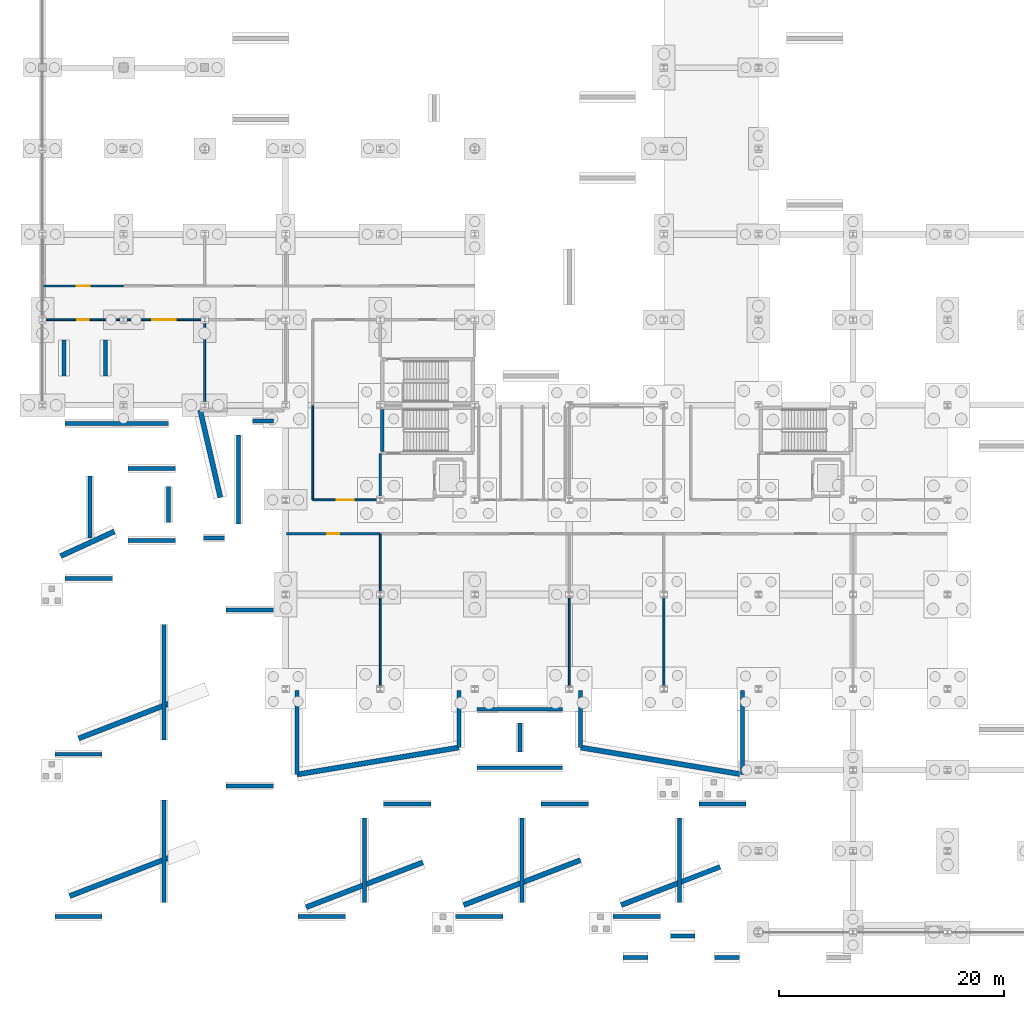
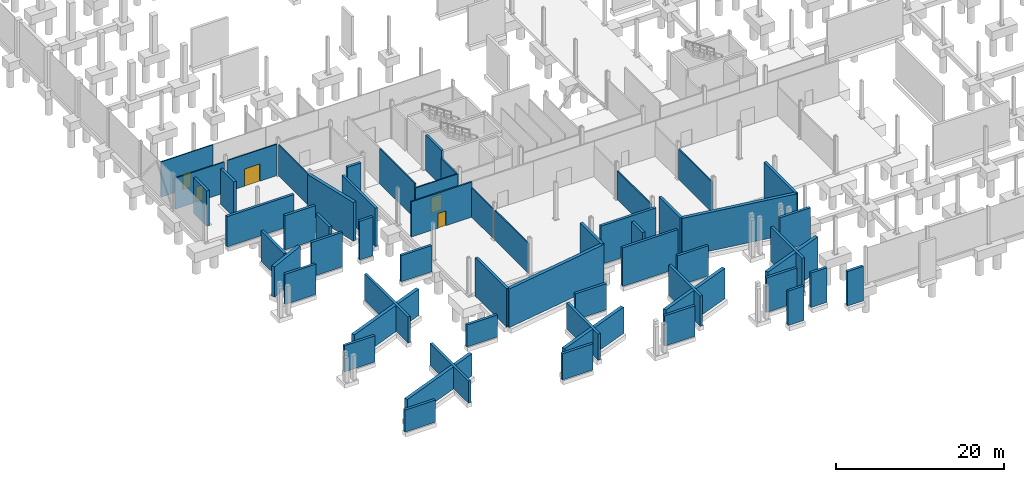
# One storey, part 43 of 61: 58 walls, 5 doors, 5 openings.
"""IFC4 building model written with IfcOpenShell, lengths in metres."""

from ifc_helpers import new_model, si_unit, direction, frame, frame_2d, origin, place, context, subcontext, project, spatial, rectangle, extrude, material, layer, layer_set, type_object, element, fill, save


model = new_model("IFC4")

# Units and contexts
model_context = context("Model", 3, precision=1e-05, world=origin(), true_north=direction((0.0, 1.0)))
body_context = subcontext(model_context, "Body", "Model", "MODEL_VIEW")
ifc_project = project(units=[si_unit("LENGTHUNIT", "METRE"), si_unit("AREAUNIT", "SQUARE_METRE"), si_unit("VOLUMEUNIT", "CUBIC_METRE"), si_unit("PLANEANGLEUNIT", "RADIAN"), si_unit("MASSUNIT", "GRAM", prefix="KILO")], contexts=[model_context])

# Site, building, storey
site_placement = place(None, origin())
site = spatial("IfcSite", under=ifc_project, at=site_placement, CompositionType="ELEMENT")
building_placement = place(site_placement, origin())
building = spatial("IfcBuilding", under=site, at=building_placement, Name="Calvrana Isthmian Art Gallery", CompositionType="ELEMENT")
storey_placement = place(building_placement, frame((0.0, 0.0, -5.39990234375)))
storey = spatial("IfcBuildingStorey", under=building, at=storey_placement, Name="B1", CompositionType="ELEMENT", Elevation=-5.39990234375)

# Walls
ifc_material_1 = material(Name="Concrete C40/50", Category="concrete")
ifc_layer_1 = layer(ifc_material_1, 0.300048828125, Name="Concrete C40/50")
ifc_layer_set_1 = layer_set([ifc_layer_1], Name="Concrete C40/50")
wall_type_1 = type_object("IfcWallType", Name="CW-SHAFT-300", PredefinedType="SHEAR", material=ifc_layer_set_1)
wall_1_placement = place(storey_placement, frame((30.18994140625, 42.7099609375, 0.0), z_axis=(0.0, 0.0, 1.0), x_axis=(0.0, 1.0, 0.0)))
element("IfcWall", 1, at=wall_1_placement, inside=storey, type_object=wall_type_1, Name="Core C1 shear wall W B1", PredefinedType="SHEAR", context=body_context, shape_type="SweptSolid", body=[
    extrude(rectangle(XDim=3.719970703125, YDim=0.300048828125, at=frame_2d((1.85986328125, 0.0))), origin(), (0.0, 0.0, 1.0), 5.119873046875),
])
ifc_material_2 = material(Name="Acoustic gypsum ceiling", Category="gypsum")
ifc_layer_2 = layer(ifc_material_2, 0.199951171875, Name="Acoustic gypsum ceiling")
ifc_layer_set_2 = layer_set([ifc_layer_2], Name="Acoustic gypsum ceiling")
wall_type_2 = type_object("IfcWallType", Name="PW-FIRE-200", PredefinedType="PARTITIONING", material=ifc_layer_set_2)
wall_2_placement = place(storey_placement, frame((30.0, 38.6201171875, 0.0), z_axis=(0.0, 0.0, 1.0), x_axis=(0.0, 1.0, 0.0)))
element("IfcWall", 2, at=wall_2_placement, inside=storey, type_object=wall_type_2, Name="Core C1 lobby west closure B1", PredefinedType="PARTITIONING", context=body_context, shape_type="SweptSolid", body=[
    extrude(rectangle(XDim=3.919921875, YDim=0.199951171875, at=frame_2d((1.9599609375, 0.0))), origin(), (0.0, 0.0, 1.0), 4.1728515625),
])

# Wall, opening, door
wall_3_placement = place(storey_placement, frame((21.659912109375, 35.389892578125, 0.0), z_axis=(0.0, 0.0, 1.0), x_axis=(1.0, 0.0, 0.0)))
wall_3 = element("IfcWall", 3, at=wall_3_placement, inside=storey, type_object=wall_type_2, Name="Interior partition PW-001", PredefinedType="PARTITIONING", context=body_context, shape_type="SweptSolid", body=[
    extrude(rectangle(XDim=8.330078125, YDim=0.199951171875, at=frame_2d((4.1650390625, 0.0))), origin(), (0.0, 0.0, 1.0), 5.099853515625),
])
opening_1_placement = place(wall_3_placement, frame((3.614990234375, 0.0, 0.0)))
opening_1 = element("IfcOpeningElement", 4, at=opening_1_placement, cuts=wall_3, Name="Opening D-190", PredefinedType="OPENING", context=body_context, shape_type="SweptSolid", body=[
    extrude(rectangle(XDim=1.10009765625, YDim=2.14990234375, at=frame_2d((0.550048828125, 1.074951171875))), frame((0.0, 0.1103515625, 0.0), z_axis=(0.0, -1.0, 0.0), x_axis=(1.0, 0.0, 0.0)), (0.0, 0.0, 1.0), 0.220458984375),
])
ifc_material_3 = material(Name="Steel ASTM A572 Gr 50", Category="steel")
door_type_1 = type_object("IfcDoorType", Name="DR-FIRE-1100", OperationType="NOTDEFINED", PredefinedType="DOOR", material=ifc_material_3)
door_1_placement = place(opening_1_placement, origin())
door_1 = element("IfcDoor", 5, at=door_1_placement, inside=storey, type_object=door_type_1, Name="Interior door D-190", OperationType="SINGLE_SWING_RIGHT", OverallHeight=2.14990234375, OverallWidth=1.10009765625, PredefinedType="DOOR", context=body_context, shape_type="SweptSolid", body=[
    extrude(rectangle(XDim=1.10009765625, YDim=2.14990234375, at=frame_2d((0.550048828125, 1.074951171875))), frame((0.0, 0.02490234375, 0.0), z_axis=(0.0, -1.0, 0.0), x_axis=(1.0, 0.0, 0.0)), (0.0, 0.0, 1.0), 0.050048828125),
])
fill(opening_1, door_1)

# Walls
ifc_layer_3 = layer(ifc_material_2, 0.159912109375, Name="Acoustic gypsum ceiling")
ifc_layer_set_3 = layer_set([ifc_layer_3], Name="Acoustic gypsum ceiling")
wall_type_3 = type_object("IfcWallType", Name="PW-GAL-160", PredefinedType="PARTITIONING", material=ifc_layer_set_3)
wall_4_placement = place(storey_placement, frame((30.0, 21.80810546875, 0.0), z_axis=(0.0, 0.0, 1.0), x_axis=(0.0, 1.0, 0.0)))
element("IfcWall", 6, at=wall_4_placement, inside=storey, type_object=wall_type_3, Name="Interior partition PW-002", PredefinedType="PARTITIONING", context=body_context, shape_type="SweptSolid", body=[
    extrude(rectangle(XDim=7.990478515625, YDim=0.159912109375, at=frame_2d((3.9951171875, 0.0))), origin(), (0.0, 0.0, 1.0), 4.327880859375),
])
wall_5_placement = place(storey_placement, frame((30.0, 30.201416015625, 0.0), z_axis=(0.0, 0.0, 1.0), x_axis=(0.0, 1.0, 0.0)))
element("IfcWall", 7, at=wall_5_placement, inside=storey, type_object=wall_type_3, Name="Interior partition PW-003", PredefinedType="PARTITIONING", context=body_context, shape_type="SweptSolid", body=[
    extrude(rectangle(XDim=5.178466796875, YDim=0.159912109375, at=frame_2d((2.58935546875, 0.0))), origin(), (0.0, 0.0, 1.0), 4.243896484375),
])
wall_6_placement = place(storey_placement, frame((46.800048828125, 21.81201171875, 0.0), z_axis=(0.0, 0.0, 1.0), x_axis=(0.0, 1.0, 0.0)))
element("IfcWall", 8, at=wall_6_placement, inside=storey, type_object=wall_type_3, Name="Interior partition PW-006", PredefinedType="PARTITIONING", context=body_context, shape_type="SweptSolid", body=[
    extrude(rectangle(XDim=7.982421875, YDim=0.159912109375, at=frame_2d((3.9912109375, 0.0))), origin(), (0.0, 0.0, 1.0), 4.1728515625),
])
wall_7_placement = place(storey_placement, frame((55.199951171875, 21.823486328125, 0.0), z_axis=(0.0, 0.0, 1.0), x_axis=(0.0, 1.0, 0.0)))
element("IfcWall", 9, at=wall_7_placement, inside=storey, type_object=wall_type_3, Name="Interior partition PW-009", PredefinedType="PARTITIONING", context=body_context, shape_type="SweptSolid", body=[
    extrude(rectangle(XDim=7.968505859375, YDim=0.159912109375, at=frame_2d((3.984375, 0.0))), origin(), (0.0, 0.0, 1.0), 4.406982421875),
])
wall_8_placement = place(storey_placement, frame((24.0, 38.419921875, 0.0), z_axis=(0.0, 0.0, 1.0), x_axis=(0.0, 1.0, 0.0)))
element("IfcWall", 10, at=wall_8_placement, inside=storey, type_object=wall_type_3, Name="Interior partition PW-016", PredefinedType="PARTITIONING", context=body_context, shape_type="SweptSolid", body=[
    extrude(rectangle(XDim=8.340087890625, YDim=0.159912109375, at=frame_2d((4.169921875, 0.0))), origin(), (0.0, 0.0, 1.0), 5.099853515625),
])

# Wall, opening, door
wall_9_placement = place(storey_placement, frame((24.0, 38.39990234375, 0.0), z_axis=(0.0, 0.0, 1.0), x_axis=(1.0, 0.0, 0.0)))
wall_9 = element("IfcWall", 11, at=wall_9_placement, inside=storey, type_object=wall_type_3, Name="Interior partition PW-017", PredefinedType="PARTITIONING", context=body_context, shape_type="SweptSolid", body=[
    extrude(rectangle(XDim=5.784423828125, YDim=0.159912109375, at=frame_2d((2.89208984375, 0.0))), origin(), (0.0, 0.0, 1.0), 4.477783203125),
])
opening_2_placement = place(wall_9_placement, frame((2.1171875, 0.0, 0.0)))
opening_2 = element("IfcOpeningElement", 12, at=opening_2_placement, cuts=wall_9, Name="Opening D-197", PredefinedType="OPENING", context=body_context, shape_type="SweptSolid", body=[
    extrude(rectangle(XDim=1.550048828125, YDim=2.300048828125, at=frame_2d((0.77490234375, 1.14990234375))), frame((0.0, 0.09033203125, 0.0), z_axis=(0.0, -1.0, 0.0), x_axis=(1.0, 0.0, 0.0)), (0.0, 0.0, 1.0), 0.180419921875),
])
ifc_material_4 = material(Name="Timber gallery flooring", Category="wood")
door_type_2 = type_object("IfcDoorType", Name="DR-AUD-1550", OperationType="DOUBLE_DOOR_SINGLE_SWING", PredefinedType="DOOR", material=ifc_material_4)
door_2_placement = place(opening_2_placement, origin())
door_2 = element("IfcDoor", 13, at=door_2_placement, inside=storey, type_object=door_type_2, Name="Interior door D-197", OperationType="DOUBLE_DOOR_SINGLE_SWING", OverallHeight=2.300048828125, OverallWidth=1.550048828125, PredefinedType="DOOR", context=body_context, shape_type="SweptSolid", body=[
    extrude(rectangle(XDim=1.550048828125, YDim=2.300048828125, at=frame_2d((0.77490234375, 1.14990234375))), frame((0.0, 0.02490234375, 0.0), z_axis=(0.0, -1.0, 0.0), x_axis=(1.0, 0.0, 0.0)), (0.0, 0.0, 1.0), 0.050048828125),
])
fill(opening_2, door_2)

wall_10_placement = place(storey_placement, frame((0.201416015625, 54.39990234375, 0.0), z_axis=(0.0, 0.0, 1.0), x_axis=(1.0, 0.0, 0.0)))
wall_10 = element("IfcWall", 14, at=wall_10_placement, inside=storey, type_object=wall_type_3, Name="Interior partition PW-030", PredefinedType="PARTITIONING", context=body_context, shape_type="SweptSolid", body=[
    extrude(rectangle(XDim=6.797119140625, YDim=0.159912109375, at=frame_2d((3.3984375, 0.0))), origin(), (0.0, 0.0, 1.0), 4.492919921875),
])
opening_3_placement = place(wall_10_placement, frame((2.8984375, 0.0, 0.0)))
opening_3 = element("IfcOpeningElement", 15, at=opening_3_placement, cuts=wall_10, Name="Opening D-205", PredefinedType="OPENING", context=body_context, shape_type="SweptSolid", body=[
    extrude(rectangle(XDim=1.0, YDim=2.14990234375, at=frame_2d((0.5, 1.074951171875))), frame((0.0, 0.09033203125, 0.0), z_axis=(0.0, -1.0, 0.0), x_axis=(1.0, 0.0, 0.0)), (0.0, 0.0, 1.0), 0.180419921875),
])
door_type_3 = type_object("IfcDoorType", Name="DR-RM-1000", OperationType="NOTDEFINED", PredefinedType="DOOR", material=ifc_material_4)
door_3_placement = place(opening_3_placement, origin())
door_3 = element("IfcDoor", 16, at=door_3_placement, inside=storey, type_object=door_type_3, Name="Interior door D-205", OperationType="SINGLE_SWING_LEFT", OverallHeight=2.14990234375, OverallWidth=1.0, PredefinedType="DOOR", context=body_context, shape_type="SweptSolid", body=[
    extrude(rectangle(XDim=1.0, YDim=2.14990234375, at=frame_2d((0.5, 1.074951171875))), frame((0.0, 0.02490234375, 0.0), z_axis=(0.0, -1.0, 0.0), x_axis=(1.0, 0.0, 0.0)), (0.0, 0.0, 1.0), 0.050048828125),
])
fill(opening_3, door_3)

wall_11_placement = place(storey_placement, frame((7.401611328125, 54.39990234375, 0.0), z_axis=(0.0, 0.0, 1.0), x_axis=(1.0, 0.0, 0.0)))
wall_11 = element("IfcWall", 17, at=wall_11_placement, inside=storey, type_object=wall_type_3, Name="Interior partition PW-031", PredefinedType="PARTITIONING", context=body_context, shape_type="SweptSolid", body=[
    extrude(rectangle(XDim=6.7978515625, YDim=0.159912109375, at=frame_2d((3.39892578125, 0.0))), origin(), (0.0, 0.0, 1.0), 4.55078125),
])
opening_4_placement = place(wall_11_placement, frame((2.34912109375, 0.0, 0.0)))
opening_4 = element("IfcOpeningElement", 18, at=opening_4_placement, cuts=wall_11, Name="Opening D-206", PredefinedType="OPENING", context=body_context, shape_type="SweptSolid", body=[
    extrude(rectangle(XDim=2.10009765625, YDim=2.5, at=frame_2d((1.050048828125, 1.25))), frame((0.0, 0.09033203125, 0.0), z_axis=(0.0, -1.0, 0.0), x_axis=(1.0, 0.0, 0.0)), (0.0, 0.0, 1.0), 0.180419921875),
])
door_type_4 = type_object("IfcDoorType", Name="DR-GAL-2100", OperationType="DOUBLE_DOOR_SINGLE_SWING", PredefinedType="DOOR", material=ifc_material_4)
door_4_placement = place(opening_4_placement, origin())
door_4 = element("IfcDoor", 19, at=door_4_placement, inside=storey, type_object=door_type_4, Name="Interior door D-206", OperationType="DOUBLE_DOOR_SINGLE_SWING", OverallHeight=2.5, OverallWidth=2.10009765625, PredefinedType="DOOR", context=body_context, shape_type="SweptSolid", body=[
    extrude(rectangle(XDim=2.10009765625, YDim=2.5, at=frame_2d((1.050048828125, 1.25))), frame((0.0, 0.02490234375, 0.0), z_axis=(0.0, -1.0, 0.0), x_axis=(1.0, 0.0, 0.0)), (0.0, 0.0, 1.0), 0.050048828125),
])
fill(opening_4, door_4)

# Wall
wall_12_placement = place(storey_placement, frame((14.39990234375, 46.992919921875, 0.0), z_axis=(0.0, 0.0, 1.0), x_axis=(0.0, 1.0, 0.0)))
element("IfcWall", 20, at=wall_12_placement, inside=storey, type_object=wall_type_3, Name="Interior partition PW-032", PredefinedType="PARTITIONING", context=body_context, shape_type="SweptSolid", body=[
    extrude(rectangle(XDim=7.210693359375, YDim=0.159912109375, at=frame_2d((3.60546875, 0.0))), origin(), (0.0, 0.0, 1.0), 4.492919921875),
])

# Wall, opening, door
wall_13_placement = place(storey_placement, frame((0.06005859375, 57.409912109375, 0.0), z_axis=(0.0, 0.0, 1.0), x_axis=(1.0, 0.0, 0.0)))
wall_13 = element("IfcWall", 21, at=wall_13_placement, inside=storey, type_object=wall_type_3, Name="Interior partition PW-037", PredefinedType="PARTITIONING", context=body_context, shape_type="SweptSolid", body=[
    extrude(rectangle(XDim=7.1298828125, YDim=0.159912109375, at=frame_2d((3.56494140625, 0.0))), origin(), (0.0, 0.0, 1.0), 5.099853515625),
])
opening_5_placement = place(wall_13_placement, frame((2.989990234375, 0.0, 0.0)))
opening_5 = element("IfcOpeningElement", 22, at=opening_5_placement, cuts=wall_13, Name="Opening D-209", PredefinedType="OPENING", context=body_context, shape_type="SweptSolid", body=[
    extrude(rectangle(XDim=1.14990234375, YDim=2.199951171875, at=frame_2d((0.574951171875, 1.10009765625))), frame((0.0, 0.09033203125, 0.0), z_axis=(0.0, -1.0, 0.0), x_axis=(1.0, 0.0, 0.0)), (0.0, 0.0, 1.0), 0.180419921875),
])
door_type_5 = type_object("IfcDoorType", Name="DR-RM-1150", OperationType="NOTDEFINED", PredefinedType="DOOR", material=ifc_material_4)
door_5_placement = place(opening_5_placement, origin())
door_5 = element("IfcDoor", 23, at=door_5_placement, inside=storey, type_object=door_type_5, Name="Interior door D-209", OperationType="SINGLE_SWING_LEFT", OverallHeight=2.199951171875, OverallWidth=1.14990234375, PredefinedType="DOOR", context=body_context, shape_type="SweptSolid", body=[
    extrude(rectangle(XDim=1.14990234375, YDim=2.199951171875, at=frame_2d((0.574951171875, 1.10009765625))), frame((0.0, 0.02490234375, 0.0), z_axis=(0.0, -1.0, 0.0), x_axis=(1.0, 0.0, 0.0)), (0.0, 0.0, 1.0), 0.050048828125),
])
fill(opening_5, door_5)

# Walls
ifc_layer_4 = layer(ifc_material_1, 0.35009765625, Name="Concrete C40/50")
ifc_layer_set_4 = layer_set([ifc_layer_4], Name="Concrete C40/50")
wall_type_4 = type_object("IfcWallType", Name="WL-RET-350", PredefinedType="USERDEFINED", material=ifc_layer_set_4)
for number, where, z_axis, x_axis, name in (
    (24, (1.10009765625, 1.39990234375, -0.4501953125), (0.0, 0.0, 1.0), (1.0, 0.0, 0.0), "Hillside court support wall COURT_STEP_1-S"),
    (25, (16.300048828125, 13.0, -0.4501953125), (0.0, 0.0, 1.0), (1.0, 0.0, 0.0), "Hillside court support wall COURT_STEP_1-N"),
):
    element("IfcWall", number, at=place(storey_placement, frame(where, z_axis=z_axis, x_axis=x_axis)), inside=storey, type_object=wall_type_4, Name=name, ObjectType="RETAINING WALL", PredefinedType="USERDEFINED", context=body_context, shape_type="SweptSolid", body=[
        extrude(rectangle(XDim=4.199951171875, YDim=0.35009765625, at=frame_2d((2.10009765625, 0.0))), origin(), (0.0, 0.0, 1.0), 3.2001953125),
    ])
wall_14_placement = place(storey_placement, frame((10.800048828125, 2.64990234375, -0.4501953125), z_axis=(0.0, 0.0, 1.0), x_axis=(0.0, 1.0, 0.0)))
element("IfcWall", 26, at=wall_14_placement, inside=storey, type_object=wall_type_4, Name="Hillside court support wall COURT_STEP_1-M", ObjectType="RETAINING WALL", PredefinedType="USERDEFINED", context=body_context, shape_type="SweptSolid", body=[
    extrude(rectangle(XDim=9.10009765625, YDim=0.35009765625, at=frame_2d((4.550048828125, 0.0))), origin(), (0.0, 0.0, 1.0), 3.2001953125),
])
for number, where, z_axis, x_axis, name in (
    (27, (1.10009765625, 15.800048828125, -0.4501953125), (0.0, 0.0, 1.0), (1.0, 0.0, 0.0), "Hillside court support wall COURT_STEP_2W-S"),
    (28, (16.300048828125, 28.60009765625, -0.4501953125), (0.0, 0.0, 1.0), (1.0, 0.0, 0.0), "Hillside court support wall COURT_STEP_2W-N"),
):
    element("IfcWall", number, at=place(storey_placement, frame(where, z_axis=z_axis, x_axis=x_axis)), inside=storey, type_object=wall_type_4, Name=name, ObjectType="RETAINING WALL", PredefinedType="USERDEFINED", context=body_context, shape_type="SweptSolid", body=[
        extrude(rectangle(XDim=4.199951171875, YDim=0.35009765625, at=frame_2d((2.10009765625, 0.0))), origin(), (0.0, 0.0, 1.0), 3.800048828125),
    ])
wall_15_placement = place(storey_placement, frame((10.800048828125, 17.050048828125, -0.4501953125), z_axis=(0.0, 0.0, 1.0), x_axis=(0.0, 1.0, 0.0)))
element("IfcWall", 29, at=wall_15_placement, inside=storey, type_object=wall_type_4, Name="Hillside court support wall COURT_STEP_2W-M", ObjectType="RETAINING WALL", PredefinedType="USERDEFINED", context=body_context, shape_type="SweptSolid", body=[
    extrude(rectangle(XDim=10.300048828125, YDim=0.35009765625, at=frame_2d((5.14990234375, 0.0))), origin(), (0.0, 0.0, 1.0), 3.800048828125),
])
for number, where, z_axis, x_axis, name in (
    (30, (22.699951171875, 1.39990234375, -0.4501953125), (0.0, 0.0, 1.0), (1.0, 0.0, 0.0), "Hillside court support wall COURT_STEP_2S-S"),
    (31, (30.300048828125, 11.39990234375, -0.4501953125), (0.0, 0.0, 1.0), (1.0, 0.0, 0.0), "Hillside court support wall COURT_STEP_2S-N"),
):
    element("IfcWall", number, at=place(storey_placement, frame(where, z_axis=z_axis, x_axis=x_axis)), inside=storey, type_object=wall_type_4, Name=name, ObjectType="RETAINING WALL", PredefinedType="USERDEFINED", context=body_context, shape_type="SweptSolid", body=[
        extrude(rectangle(XDim=4.199951171875, YDim=0.35009765625, at=frame_2d((2.10009765625, 0.0))), origin(), (0.0, 0.0, 1.0), 3.800048828125),
    ])
wall_16_placement = place(storey_placement, frame((28.60009765625, 2.64990234375, -0.4501953125), z_axis=(0.0, 0.0, 1.0), x_axis=(0.0, 1.0, 0.0)))
element("IfcWall", 32, at=wall_16_placement, inside=storey, type_object=wall_type_4, Name="Hillside court support wall COURT_STEP_2S-M", ObjectType="RETAINING WALL", PredefinedType="USERDEFINED", context=body_context, shape_type="SweptSolid", body=[
    extrude(rectangle(XDim=7.5, YDim=0.35009765625, at=frame_2d((3.75, 0.0))), origin(), (0.0, 0.0, 1.0), 3.800048828125),
])
wall_17_placement = place(storey_placement, frame((2.0, 31.39990234375, -0.4501953125), z_axis=(0.0, 0.0, 1.0), x_axis=(1.0, 0.0, 0.0)))
element("IfcWall", 33, at=wall_17_placement, inside=storey, type_object=wall_type_4, Name="Hillside court support wall COURT_STEP_3W-S", ObjectType="RETAINING WALL", PredefinedType="USERDEFINED", context=body_context, shape_type="SweptSolid", body=[
    extrude(rectangle(XDim=4.199951171875, YDim=0.35009765625, at=frame_2d((2.10009765625, 0.0))), origin(), (0.0, 0.0, 1.0), 4.400146484375),
])
wall_18_placement = place(storey_placement, frame((2.0, 45.199951171875, -0.4501953125), z_axis=(0.0, 0.0, 1.0), x_axis=(1.0, 0.0, 0.0)))
element("IfcWall", 34, at=wall_18_placement, inside=storey, type_object=wall_type_4, Name="Hillside court support wall COURT_STEP_3W-N", ObjectType="RETAINING WALL", PredefinedType="USERDEFINED", context=body_context, shape_type="SweptSolid", body=[
    extrude(rectangle(XDim=9.199951171875, YDim=0.35009765625, at=frame_2d((4.60009765625, 0.0))), origin(), (0.0, 0.0, 1.0), 4.400146484375),
])
wall_19_placement = place(storey_placement, frame((4.199951171875, 35.0, -0.4501953125), z_axis=(0.0, 0.0, 1.0), x_axis=(0.0, 1.0, 0.0)))
element("IfcWall", 35, at=wall_19_placement, inside=storey, type_object=wall_type_4, Name="Hillside court support wall COURT_STEP_3W-M", ObjectType="RETAINING WALL", PredefinedType="USERDEFINED", context=body_context, shape_type="SweptSolid", body=[
    extrude(rectangle(XDim=5.5, YDim=0.35009765625, at=frame_2d((2.75, 0.0))), origin(), (0.0, 0.0, 1.0), 4.400146484375),
])
for number, where, z_axis, x_axis, name in (
    (36, (36.699951171875, 1.39990234375, -0.4501953125), (0.0, 0.0, 1.0), (1.0, 0.0, 0.0), "Hillside court support wall COURT_STEP_3S-S"),
    (37, (44.300048828125, 11.39990234375, -0.4501953125), (0.0, 0.0, 1.0), (1.0, 0.0, 0.0), "Hillside court support wall COURT_STEP_3S-N"),
):
    element("IfcWall", number, at=place(storey_placement, frame(where, z_axis=z_axis, x_axis=x_axis)), inside=storey, type_object=wall_type_4, Name=name, ObjectType="RETAINING WALL", PredefinedType="USERDEFINED", context=body_context, shape_type="SweptSolid", body=[
        extrude(rectangle(XDim=4.199951171875, YDim=0.35009765625, at=frame_2d((2.10009765625, 0.0))), origin(), (0.0, 0.0, 1.0), 4.400146484375),
    ])
wall_20_placement = place(storey_placement, frame((42.60009765625, 2.64990234375, -0.4501953125), z_axis=(0.0, 0.0, 1.0), x_axis=(0.0, 1.0, 0.0)))
element("IfcWall", 38, at=wall_20_placement, inside=storey, type_object=wall_type_4, Name="Hillside court support wall COURT_STEP_3S-M", ObjectType="RETAINING WALL", PredefinedType="USERDEFINED", context=body_context, shape_type="SweptSolid", body=[
    extrude(rectangle(XDim=7.5, YDim=0.35009765625, at=frame_2d((3.75, 0.0))), origin(), (0.0, 0.0, 1.0), 4.400146484375),
])
for number, where, z_axis, x_axis, name in (
    (39, (50.699951171875, 1.39990234375, -0.4501953125), (0.0, 0.0, 1.0), (1.0, 0.0, 0.0), "Hillside court support wall COURT_STEP_4S-S"),
    (40, (58.300048828125, 11.39990234375, -0.4501953125), (0.0, 0.0, 1.0), (1.0, 0.0, 0.0), "Hillside court support wall COURT_STEP_4S-N"),
):
    element("IfcWall", number, at=place(storey_placement, frame(where, z_axis=z_axis, x_axis=x_axis)), inside=storey, type_object=wall_type_4, Name=name, ObjectType="RETAINING WALL", PredefinedType="USERDEFINED", context=body_context, shape_type="SweptSolid", body=[
        extrude(rectangle(XDim=4.199951171875, YDim=0.35009765625, at=frame_2d((2.10009765625, 0.0))), origin(), (0.0, 0.0, 1.0), 5.0),
    ])
wall_21_placement = place(storey_placement, frame((56.60009765625, 2.64990234375, -0.4501953125), z_axis=(0.0, 0.0, 1.0), x_axis=(0.0, 1.0, 0.0)))
element("IfcWall", 41, at=wall_21_placement, inside=storey, type_object=wall_type_4, Name="Hillside court support wall COURT_STEP_4S-M", ObjectType="RETAINING WALL", PredefinedType="USERDEFINED", context=body_context, shape_type="SweptSolid", body=[
    extrude(rectangle(XDim=7.5, YDim=0.35009765625, at=frame_2d((3.75, 0.0))), origin(), (0.0, 0.0, 1.0), 5.0),
])
for number, where, z_axis, x_axis, name in (
    (42, (7.60009765625, 34.800048828125, -0.4501953125), (0.0, 0.0, 1.0), (1.0, 0.0, 0.0), "Hillside court support wall COURT_STEP_4W-S"),
    (43, (7.60009765625, 41.199951171875, -0.4501953125), (0.0, 0.0, 1.0), (1.0, 0.0, 0.0), "Hillside court support wall COURT_STEP_4W-N"),
):
    element("IfcWall", number, at=place(storey_placement, frame(where, z_axis=z_axis, x_axis=x_axis)), inside=storey, type_object=wall_type_4, Name=name, ObjectType="RETAINING WALL", PredefinedType="USERDEFINED", context=body_context, shape_type="SweptSolid", body=[
        extrude(rectangle(XDim=4.199951171875, YDim=0.35009765625, at=frame_2d((2.10009765625, 0.0))), origin(), (0.0, 0.0, 1.0), 5.0),
    ])
wall_22_placement = place(storey_placement, frame((11.199951171875, 36.39990234375, -0.4501953125), z_axis=(0.0, 0.0, 1.0), x_axis=(0.0, 1.0, 0.0)))
element("IfcWall", 44, at=wall_22_placement, inside=storey, type_object=wall_type_4, Name="Hillside court support wall COURT_STEP_4W-M", ObjectType="RETAINING WALL", PredefinedType="USERDEFINED", context=body_context, shape_type="SweptSolid", body=[
    extrude(rectangle(XDim=3.2001953125, YDim=0.35009765625, at=frame_2d((1.60009765625, 0.0))), origin(), (0.0, 0.0, 1.0), 5.0),
])
for number, where, z_axis, x_axis, name in (
    (45, (38.60009765625, 14.60009765625, -0.4501953125), (0.0, 0.0, 1.0), (1.0, 0.0, 0.0), "Hillside court support wall COURT_STEP_5S-S"),
    (46, (38.60009765625, 19.800048828125, -0.4501953125), (0.0, 0.0, 1.0), (1.0, 0.0, 0.0), "Hillside court support wall COURT_STEP_5S-N"),
):
    element("IfcWall", number, at=place(storey_placement, frame(where, z_axis=z_axis, x_axis=x_axis)), inside=storey, type_object=wall_type_4, Name=name, ObjectType="RETAINING WALL", PredefinedType="USERDEFINED", context=body_context, shape_type="SweptSolid", body=[
        extrude(rectangle(XDim=7.599853515625, YDim=0.35009765625, at=frame_2d((3.7998046875, 0.0))), origin(), (0.0, 0.0, 1.0), 5.60009765625),
    ])
wall_23_placement = place(storey_placement, frame((42.39990234375, 16.0, -0.4501953125), z_axis=(0.0, 0.0, 1.0), x_axis=(0.0, 1.0, 0.0)))
element("IfcWall", 47, at=wall_23_placement, inside=storey, type_object=wall_type_4, Name="Hillside court support wall COURT_STEP_5S-M", ObjectType="RETAINING WALL", PredefinedType="USERDEFINED", context=body_context, shape_type="SweptSolid", body=[
    extrude(rectangle(XDim=2.60009765625, YDim=0.35009765625, at=frame_2d((1.300048828125, 0.0))), origin(), (0.0, 0.0, 1.0), 5.60009765625),
])
wall_24_placement = place(storey_placement, frame((14.300048828125, 35.0, -0.4501953125), z_axis=(0.0, 0.0, 1.0), x_axis=(1.0, 0.0, 0.0)))
element("IfcWall", 48, at=wall_24_placement, inside=storey, type_object=wall_type_4, Name="Hillside court support wall COURT_STEP_5W-S", ObjectType="RETAINING WALL", PredefinedType="USERDEFINED", context=body_context, shape_type="SweptSolid", body=[
    extrude(rectangle(XDim=1.849853515625, YDim=0.35009765625, at=frame_2d((0.9248046875, 0.0))), origin(), (0.0, 0.0, 1.0), 5.60009765625),
])
wall_25_placement = place(storey_placement, frame((18.64990234375, 45.39990234375, -0.4501953125), z_axis=(0.0, 0.0, 1.0), x_axis=(1.0, 0.0, 0.0)))
element("IfcWall", 49, at=wall_25_placement, inside=storey, type_object=wall_type_4, Name="Hillside court support wall COURT_STEP_5W-N", ObjectType="RETAINING WALL", PredefinedType="USERDEFINED", context=body_context, shape_type="SweptSolid", body=[
    extrude(rectangle(XDim=1.85009765625, YDim=0.35009765625, at=frame_2d((0.925048828125, 0.0))), origin(), (0.0, 0.0, 1.0), 5.60009765625),
])
wall_26_placement = place(storey_placement, frame((17.39990234375, 36.25, -0.4501953125), z_axis=(0.0, 0.0, 1.0), x_axis=(0.0, 1.0, 0.0)))
element("IfcWall", 50, at=wall_26_placement, inside=storey, type_object=wall_type_4, Name="Hillside court support wall COURT_STEP_5W-M", ObjectType="RETAINING WALL", PredefinedType="USERDEFINED", context=body_context, shape_type="SweptSolid", body=[
    extrude(rectangle(XDim=7.89990234375, YDim=0.35009765625, at=frame_2d((3.949951171875, 0.0))), origin(), (0.0, 0.0, 1.0), 5.60009765625),
])
wall_27_placement = place(storey_placement, frame((22.60009765625, 21.449951171875, -0.4501953125), z_axis=(0.0, 0.0, 1.0), x_axis=(0.0, -1.0, 0.0)))
element("IfcWall", 51, at=wall_27_placement, inside=storey, type_object=wall_type_4, Name="Sunken base return foundation wall PAV_EDU_SW-1", ObjectType="RETAINING WALL", PredefinedType="USERDEFINED", context=body_context, shape_type="SweptSolid", body=[
    extrude(rectangle(XDim=7.449951171875, YDim=0.35009765625, at=frame_2d((3.72509765625, 0.0))), origin(), (0.0, 0.0, 1.0), 5.60009765625),
])
for number, where, z_axis, x_axis, name in (
    (52, (37.0, 16.39990234375, -0.4501953125), (0.0, 0.0, 1.0), (0.0, 1.0, 0.0), "Sunken base return foundation wall PAV_EDU_SW-2"),
    (53, (47.800048828125, 21.449951171875, -0.4501953125), (0.0, 0.0, 1.0), (0.0, -1.0, 0.0), "Sunken base return foundation wall PAV_EDU_SE-1"),
):
    element("IfcWall", number, at=place(storey_placement, frame(where, z_axis=z_axis, x_axis=x_axis)), inside=storey, type_object=wall_type_4, Name=name, ObjectType="RETAINING WALL", PredefinedType="USERDEFINED", context=body_context, shape_type="SweptSolid", body=[
        extrude(rectangle(XDim=5.050048828125, YDim=0.35009765625, at=frame_2d((2.52490234375, 0.0))), origin(), (0.0, 0.0, 1.0), 5.60009765625),
    ])
wall_28_placement = place(storey_placement, frame((62.199951171875, 14.0, -0.4501953125), z_axis=(0.0, 0.0, 1.0), x_axis=(0.0, 1.0, 0.0)))
element("IfcWall", 54, at=wall_28_placement, inside=storey, type_object=wall_type_4, Name="Sunken base return foundation wall PAV_EDU_SE-2", ObjectType="RETAINING WALL", PredefinedType="USERDEFINED", context=body_context, shape_type="SweptSolid", body=[
    extrude(rectangle(XDim=7.449951171875, YDim=0.35009765625, at=frame_2d((3.72509765625, 0.0))), origin(), (0.0, 0.0, 1.0), 5.60009765625),
])
for number, where, z_axis, x_axis, name in (
    (55, (1.89990234375, 49.39990234375, 0.0), (0.0, 0.0, 1.0), (0.0, 1.0, 0.0), "Auditorium raker support wall W"),
    (56, (5.60009765625, 49.39990234375, 0.0), (0.0, 0.0, 1.0), (0.0, 1.0, 0.0), "Auditorium raker support wall E"),
):
    element("IfcWall", number, at=place(storey_placement, frame(where, z_axis=z_axis, x_axis=x_axis)), inside=storey, type_object=wall_type_4, Name=name, ObjectType="RETAINING WALL", PredefinedType="USERDEFINED", context=body_context, shape_type="SweptSolid", body=[
        extrude(rectangle(XDim=3.2001953125, YDim=0.35009765625, at=frame_2d((1.60009765625, 0.0))), origin(), (0.0, 0.0, 1.0), 5.119873046875),
    ])
for number, where, z_axis, x_axis, name in (
    (57, (51.580078125, -2.25, -0.4501953125), (0.0, 0.0, 1.0), (1.0, 0.0, 0.0), "Apron grade wall SLB_APR_SW_BENCH-A"),
    (58, (55.780029296875, -0.35009765625, -0.4501953125), (0.0, 0.0, 1.0), (1.0, 0.0, 0.0), "Apron grade wall SLB_APR_SW_BENCH-B"),
    (59, (59.699951171875, -2.25, -0.4501953125), (0.0, 0.0, 1.0), (1.0, 0.0, 0.0), "Apron grade wall SLB_APR_SW_BENCH-C"),
):
    element("IfcWall", number, at=place(storey_placement, frame(where, z_axis=z_axis, x_axis=x_axis)), inside=storey, type_object=wall_type_4, Name=name, ObjectType="RETAINING WALL", PredefinedType="USERDEFINED", context=body_context, shape_type="SweptSolid", body=[
        extrude(rectangle(XDim=2.199951171875, YDim=0.35009765625, at=frame_2d((1.10009765625, 0.0))), origin(), (0.0, 0.0, 1.0), 5.0),
    ])
ifc_layer_5 = layer(ifc_material_1, 0.449951171875, Name="Concrete C40/50")
ifc_layer_set_5 = layer_set([ifc_layer_5], Name="Concrete C40/50")
wall_type_5 = type_object("IfcWallType", Name="WL-RET-450", PredefinedType="USERDEFINED", material=ifc_layer_set_5)
for number, where, z_axis, x_axis, name in (
    (60, (22.60009765625, 14.0, -0.4501953125), (0.0, 0.0, 1.0), (0.986394827799, 0.164393563414, 0.0), "Angled base foundation wall ACW-01"),
    (61, (47.800048828125, 16.39990234375, -0.4501953125), (0.0, 0.0, 1.0), (0.986394827799, -0.164393563414, 0.0), "Angled base foundation wall ACW-02"),
):
    element("IfcWall", number, at=place(storey_placement, frame(where, z_axis=z_axis, x_axis=x_axis)), inside=storey, type_object=wall_type_5, Name=name, ObjectType="RETAINING WALL", PredefinedType="USERDEFINED", context=body_context, shape_type="SweptSolid", body=[
        extrude(rectangle(XDim=14.5986328125, YDim=0.449951171875, at=frame_2d((7.29931640625, 0.0))), origin(), (0.0, 0.0, 1.0), 5.60009765625),
    ])
wall_29_placement = place(storey_placement, frame((14.00537109375, 46.376953125, -0.4501953125), z_axis=(0.0, 0.0, 1.0), x_axis=(0.224861740746, -0.974390680143, 0.0)))
element("IfcWall", 62, at=wall_29_placement, inside=storey, type_object=wall_type_5, Name="Angled base foundation wall ACW-03", ObjectType="RETAINING WALL", PredefinedType="USERDEFINED", context=body_context, shape_type="SweptSolid", body=[
    extrude(rectangle(XDim=7.981201171875, YDim=0.449951171875, at=frame_2d((3.99072265625, 0.0))), origin(), (0.0, 0.0, 1.0), 5.60009765625),
])
wall_30_placement = place(storey_placement, frame((2.39990234375, 3.199951171875, -0.4501953125), z_axis=(0.0, 0.0, 1.0), x_axis=(0.932920657395, 0.360082000391, 0.0)))
element("IfcWall", 63, at=wall_30_placement, inside=storey, type_object=wall_type_5, Name="Angled court foundation wall ACW-04", ObjectType="RETAINING WALL", PredefinedType="USERDEFINED", context=body_context, shape_type="SweptSolid", body=[
    extrude(rectangle(XDim=12.2197265625, YDim=0.449951171875, at=frame_2d((6.10986328125, 0.0))), origin(), (0.0, 0.0, 1.0), 3.2001953125),
])
wall_31_placement = place(storey_placement, frame((3.199951171875, 17.199951171875, -0.4501953125), z_axis=(0.0, 0.0, 1.0), x_axis=(0.932920657395, 0.360082000391, 0.0)))
element("IfcWall", 64, at=wall_31_placement, inside=storey, type_object=wall_type_5, Name="Angled court foundation wall ACW-05", ObjectType="RETAINING WALL", PredefinedType="USERDEFINED", context=body_context, shape_type="SweptSolid", body=[
    extrude(rectangle(XDim=12.2197265625, YDim=0.449951171875, at=frame_2d((6.10986328125, 0.0))), origin(), (0.0, 0.0, 1.0), 3.800048828125),
])
wall_32_placement = place(storey_placement, frame((1.60009765625, 33.39990234375, -0.4501953125), z_axis=(0.0, 0.0, 1.0), x_axis=(0.909044389395, 0.416699289788, 0.0)))
element("IfcWall", 65, at=wall_32_placement, inside=storey, type_object=wall_type_5, Name="Angled court foundation wall ACW-06", ObjectType="RETAINING WALL", PredefinedType="USERDEFINED", context=body_context, shape_type="SweptSolid", body=[
    extrude(rectangle(XDim=5.280029296875, YDim=0.449951171875, at=frame_2d((2.64013671875, 0.0))), origin(), (0.0, 0.0, 1.0), 4.400146484375),
])
wall_33_placement = place(storey_placement, frame((23.39990234375, 2.199951171875, -0.4501953125), z_axis=(0.0, 0.0, 1.0), x_axis=(0.933347300271, 0.358974674702, 0.0)))
element("IfcWall", 66, at=wall_33_placement, inside=storey, type_object=wall_type_5, Name="Angled court foundation wall ACW-07", ObjectType="RETAINING WALL", PredefinedType="USERDEFINED", context=body_context, shape_type="SweptSolid", body=[
    extrude(rectangle(XDim=11.142822265625, YDim=0.449951171875, at=frame_2d((5.5712890625, 0.0))), origin(), (0.0, 0.0, 1.0), 3.800048828125),
])
wall_34_placement = place(storey_placement, frame((37.39990234375, 2.39990234375, -0.4501953125), z_axis=(0.0, 0.0, 1.0), x_axis=(0.933347300271, 0.358974674702, 0.0)))
element("IfcWall", 67, at=wall_34_placement, inside=storey, type_object=wall_type_5, Name="Angled court foundation wall ACW-08", ObjectType="RETAINING WALL", PredefinedType="USERDEFINED", context=body_context, shape_type="SweptSolid", body=[
    extrude(rectangle(XDim=11.142822265625, YDim=0.449951171875, at=frame_2d((5.5712890625, 0.0))), origin(), (0.0, 0.0, 1.0), 4.400146484375),
])
wall_35_placement = place(storey_placement, frame((51.39990234375, 2.39990234375, -0.4501953125), z_axis=(0.0, 0.0, 1.0), x_axis=(0.932793586679, 0.360411049568, 0.0)))
element("IfcWall", 68, at=wall_35_placement, inside=storey, type_object=wall_type_5, Name="Angled court foundation wall ACW-09", ObjectType="RETAINING WALL", PredefinedType="USERDEFINED", context=body_context, shape_type="SweptSolid", body=[
    extrude(rectangle(XDim=9.43408203125, YDim=0.449951171875, at=frame_2d((4.717041015625, 0.0))), origin(), (0.0, 0.0, 1.0), 5.0),
])

save(model, "model.ifc")
